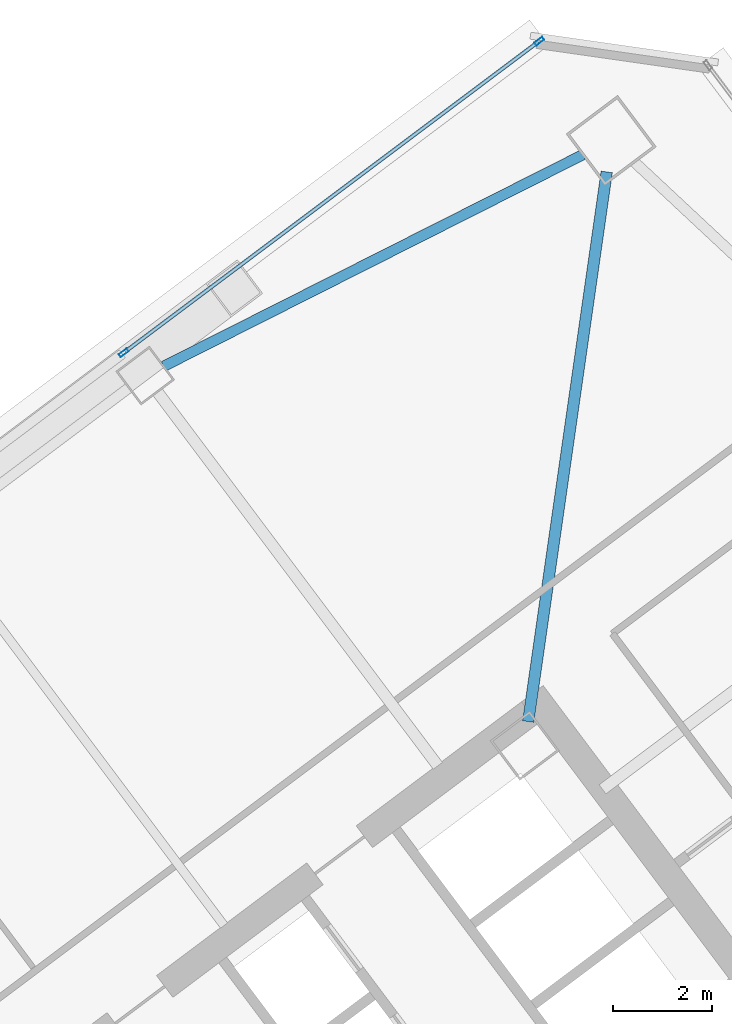
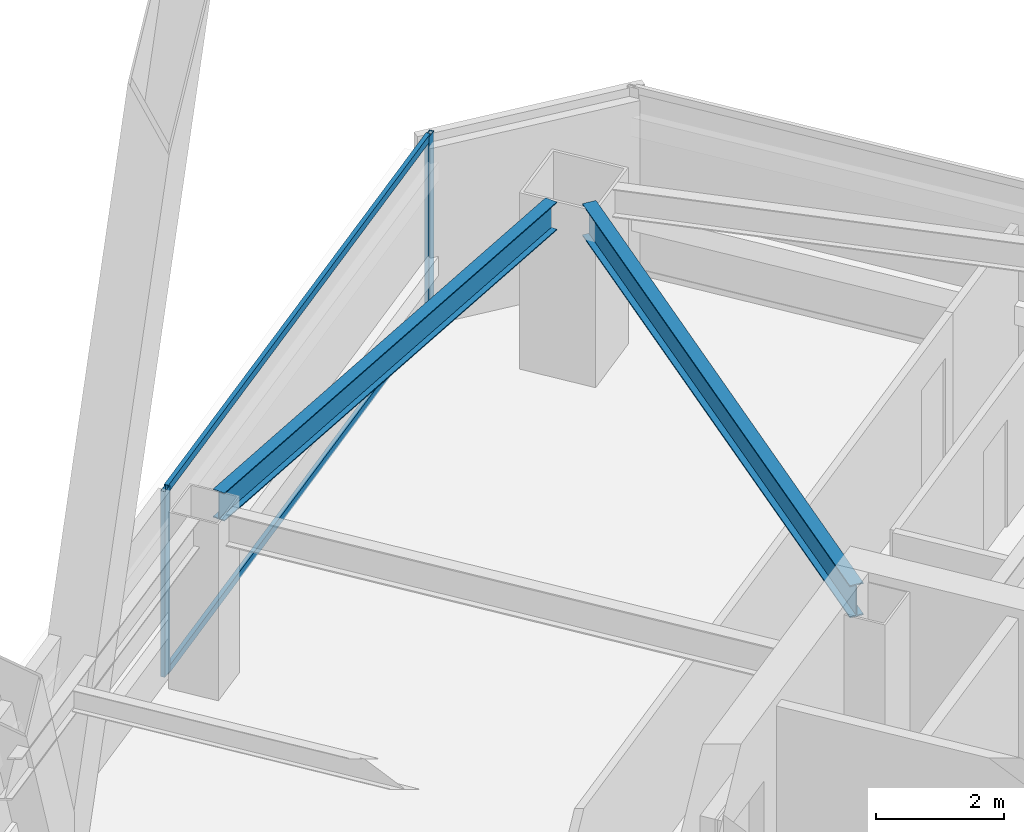
# One storey, part 35 of 50: 4 members, 2 beams, 1 element without a shape of its own.
"""IFC4 building model written with IfcOpenShell, lengths in metres."""

from ifc_helpers import new_model, si_unit, direction, frame, origin, origin_2d, place, context, subcontext, project, spatial, hollow_rectangle, i_section, extrude, material, material_profile, profile_set, type_object, element, aggregate, save


model = new_model("IFC4")

# Units and contexts
model_context = context("Model", 3, precision=1e-05, world=origin(), true_north=direction((0.0, 1.0)))
body_context = subcontext(model_context, "Body", "Model", "MODEL_VIEW")
ifc_project = project(units=[si_unit("LENGTHUNIT", "METRE"), si_unit("AREAUNIT", "SQUARE_METRE"), si_unit("VOLUMEUNIT", "CUBIC_METRE"), si_unit("PLANEANGLEUNIT", "RADIAN"), si_unit("MASSUNIT", "GRAM", prefix="KILO")], contexts=[model_context])

# Site, building, storey
site_placement = place(None, origin())
site = spatial("IfcSite", under=ifc_project, at=site_placement, CompositionType="ELEMENT")
building_placement = place(site_placement, origin())
building = spatial("IfcBuilding", under=site, at=building_placement, Name="Tashvorn Skyway Center", CompositionType="ELEMENT")
storey_placement = place(building_placement, frame((0.0, 0.0, 114.39990234375)))
storey = spatial("IfcBuildingStorey", under=building, at=storey_placement, Name="L30", CompositionType="ELEMENT", Elevation=114.39990234375)

# Beams
ifc_material_1 = material(Name="Steel ASTM A992 Grade 50", Category="steel")
ifc_material_profile_1 = material_profile(ifc_material_1, i_section(OverallWidth=0.22998046875, OverallDepth=0.616943359375, WebThickness=0.01318359375, FlangeThickness=0.022216796875, at=origin_2d()), Name="W24X94")
ifc_profile_set_1 = profile_set([ifc_material_profile_1], Name="Steel ASTM A992 Grade 50")
beam_type_1 = type_object("IfcBeamType", Name="BM-BEAM-W24X94", PredefinedType="BEAM", material=ifc_profile_set_1)
beam_1_placement = place(storey_placement, frame((117.06884765625, 53.4814453125, 3.0615234375), z_axis=(-0.141430483583, -0.989948189712, 0.0), x_axis=(0.989948189712, -0.141430483583, 0.0)))
element("IfcBeam", 1, at=beam_1_placement, inside=storey, type_object=beam_type_1, Name="Tower 2 L30 Primary Floor Girder MC-NE", PredefinedType="BEAM", context=body_context, shape_type="SweptSolid", body=[
    extrude(i_section(OverallWidth=0.22998046875, OverallDepth=0.616943359375, WebThickness=0.01318359375, FlangeThickness=0.022216796875, at=origin_2d()), origin(), (0.0, 0.0, 1.0), 11.234375),
])
ifc_material_profile_2 = material_profile(ifc_material_1, i_section(OverallWidth=0.2109375, OverallDepth=0.5390625, WebThickness=0.01171875, FlangeThickness=0.018798828125, at=origin_2d()), Name="W21X73")
ifc_profile_set_2 = profile_set([ifc_material_profile_2], Name="Steel ASTM A992 Grade 50")
beam_type_2 = type_object("IfcBeamType", Name="BM-SPANDREL-W21X73", PredefinedType="SPANDREL", material=ifc_profile_set_2)
beam_2_placement = place(storey_placement, frame((116.584228515625, 53.829345703125, 3.1005859375), z_axis=(-0.892719124217, -0.450613543136, 0.0), x_axis=(0.450613543136, -0.892719124217, 0.0)))
element("IfcBeam", 2, at=beam_2_placement, inside=storey, type_object=beam_type_2, Name="Tower 2 L30 Spandrel Beam 07", PredefinedType="SPANDREL", context=body_context, shape_type="SweptSolid", body=[
    extrude(i_section(OverallWidth=0.2109375, OverallDepth=0.5390625, WebThickness=0.01171875, FlangeThickness=0.018798828125, at=origin_2d()), origin(), (0.0, 0.0, 1.0), 9.498291015625),
])

# Curtain wall, members
ifc_material_2 = material(Name="Thermally broken bronze-anodized aluminium 6063-T6", Category="aluminium")
curtain_wall_type = type_object("IfcCurtainWallType", Name="CW-CW-Z3", PredefinedType="NOTDEFINED", material=ifc_material_2)
curtain_wall_placement = place(storey_placement, origin())
curtain_wall = element("IfcCurtainWall", 3, at=curtain_wall_placement, inside=storey, type_object=curtain_wall_type, Name="Tower 2 L30 North Unitised Curtain Wall Glazing Group 2", PredefinedType="NOTDEFINED")
ifc_material_profile_3 = material_profile(ifc_material_2, hollow_rectangle(XDim=0.074951171875, YDim=0.199951171875, WallThickness=0.00439453125, at=origin_2d()), Name="ALU-MULL-75x200")
ifc_profile_set_3 = profile_set([ifc_material_profile_3], Name="Thermally broken bronze-anodized aluminium 6063-T6")
member_type_1 = type_object("IfcMemberType", Name="CWM-CW-Z3", PredefinedType="MULLION", material=ifc_profile_set_3)
member_1_placement = place(storey_placement, frame((107.296630859375, 49.822509765625, 0.0), z_axis=(0.0, 0.0, 1.0), x_axis=(-0.600001511345, 0.799998866489, 0.0)))
member_1 = element("IfcMember", 4, at=member_1_placement, type_object=member_type_1, Name="CW-Z3 mullion 1", PredefinedType="MULLION", context=body_context, shape_type="SweptSolid", body=[
    extrude(hollow_rectangle(XDim=0.074951171875, YDim=0.199951171875, WallThickness=0.00439453125, at=origin_2d()), origin(), (0.0, 0.0, 1.0), 3.550048828125),
])
member_2_placement = place(storey_placement, frame((115.7060546875, 56.12939453125, 0.0), z_axis=(0.0, 0.0, 1.0), x_axis=(-0.600001511345, 0.799998866489, 0.0)))
member_2 = element("IfcMember", 5, at=member_2_placement, type_object=member_type_1, Name="CW-Z3 mullion 2", PredefinedType="MULLION", context=body_context, shape_type="SweptSolid", body=[
    extrude(hollow_rectangle(XDim=0.074951171875, YDim=0.199951171875, WallThickness=0.00439453125, at=origin_2d()), origin(), (0.0, 0.0, 1.0), 3.550048828125),
])
ifc_material_profile_4 = material_profile(ifc_material_2, hollow_rectangle(XDim=0.074951171875, YDim=0.139892578125, WallThickness=0.004150390625, at=origin_2d()), Name="ALU-TRAN-75x140")
ifc_profile_set_4 = profile_set([ifc_material_profile_4], Name="Thermally broken bronze-anodized aluminium 6063-T6")
member_type_2 = type_object("IfcMemberType", Name="CWT-CW-Z3", PredefinedType="USERDEFINED", material=ifc_profile_set_4)
member_3_placement = place(storey_placement, frame((107.32666015625, 49.844970703125, 0.03759765625), z_axis=(0.800002807101, 0.599996257181, 0.0), x_axis=(-0.599996257181, 0.800002807101, 0.0)))
member_3 = element("IfcMember", 6, at=member_3_placement, type_object=member_type_2, Name="CW-Z3 transom 1.1", ObjectType="TRANSOM", PredefinedType="USERDEFINED", context=body_context, shape_type="SweptSolid", body=[
    extrude(hollow_rectangle(XDim=0.074951171875, YDim=0.139892578125, WallThickness=0.004150390625, at=origin_2d()), origin(), (0.0, 0.0, 1.0), 10.436767578125),
])
member_4_placement = place(storey_placement, frame((107.32666015625, 49.844970703125, 3.5126953125), z_axis=(0.800002807101, 0.599996257181, 0.0), x_axis=(-0.599996257181, 0.800002807101, 0.0)))
member_4 = element("IfcMember", 7, at=member_4_placement, type_object=member_type_2, Name="CW-Z3 transom 1.2", ObjectType="TRANSOM", PredefinedType="USERDEFINED", context=body_context, shape_type="SweptSolid", body=[
    extrude(hollow_rectangle(XDim=0.074951171875, YDim=0.139892578125, WallThickness=0.004150390625, at=origin_2d()), origin(), (0.0, 0.0, 1.0), 10.436767578125),
])
aggregate(curtain_wall, [member_1, member_2, member_3, member_4])

save(model, "model.ifc")
